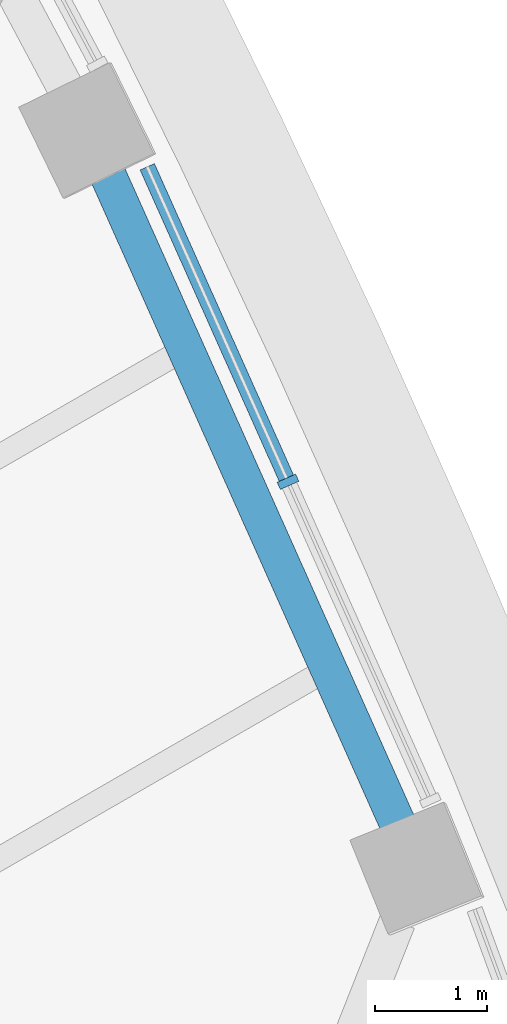
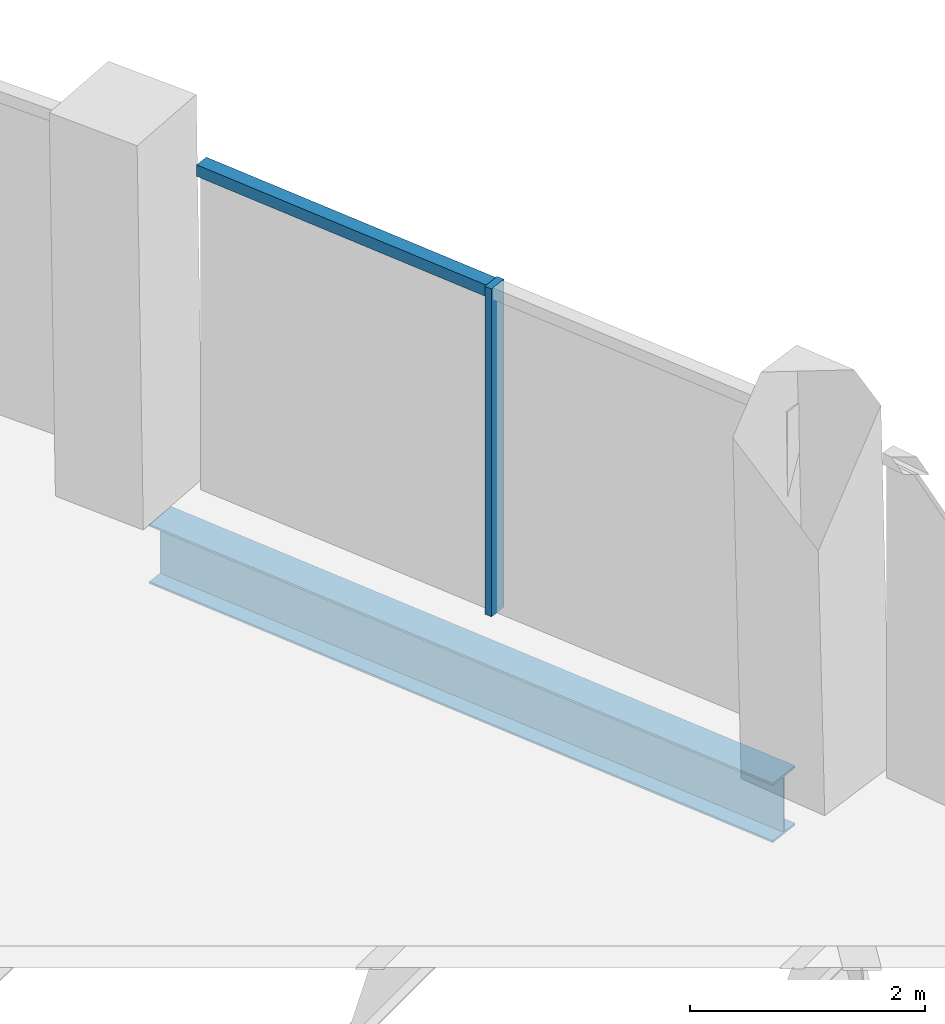
# One storey, part 5 of 18: 2 members, 1 beam, 1 element without a shape of its own.
"""IFC4 building model written with IfcOpenShell, lengths in metres."""

from ifc_helpers import new_model, si_unit, direction, frame, origin, origin_2d, place, context, subcontext, project, spatial, rectangle, i_section, extrude, material, layer, layer_set, material_profile, profile_set, type_object, element, aggregate, save


model = new_model("IFC4")

# Units and contexts
model_context = context("Model", 3, precision=1e-05, world=origin(), true_north=direction((0.0, 1.0)))
body_context = subcontext(model_context, "Body", "Model", "MODEL_VIEW")
ifc_project = project(units=[si_unit("LENGTHUNIT", "METRE"), si_unit("AREAUNIT", "SQUARE_METRE"), si_unit("VOLUMEUNIT", "CUBIC_METRE"), si_unit("PLANEANGLEUNIT", "RADIAN"), si_unit("MASSUNIT", "GRAM", prefix="KILO")], contexts=[model_context])

# Site, building, storey
site_placement = place(None, origin())
site = spatial("IfcSite", under=ifc_project, at=site_placement, CompositionType="ELEMENT")
building_placement = place(site_placement, origin())
building = spatial("IfcBuilding", under=site, at=building_placement, Name="Sierra Prisma Convention Tower", CompositionType="ELEMENT")
storey_placement = place(building_placement, frame((0.0, 0.0, 307.0)))
storey = spatial("IfcBuildingStorey", under=building, at=storey_placement, Name="L70", CompositionType="ELEMENT", Elevation=307.0)

# Curtain wall, members
ifc_material_1 = material(Name="Aluminium and glass curtain wall", Category="aluminium")
ifc_layer = layer(ifc_material_1, 0.179931640625)
ifc_layer_set = layer_set([ifc_layer], Name="CW-1 Plain shaft curtain wall")
curtain_wall_type = type_object("IfcCurtainWallType", Name="CW-1 Plain shaft curtain wall", PredefinedType="NOTDEFINED", material=ifc_layer_set)
curtain_wall_placement = place(storey_placement, origin())
curtain_wall = element("IfcCurtainWall", 1, at=curtain_wall_placement, inside=storey, type_object=curtain_wall_type, Name="CW-1 NE2 L70", PredefinedType="NOTDEFINED")
ifc_material_2 = material(Name="Aluminium 6063-T6 bronze anodised", Category="aluminium")
ifc_material_profile_1 = material_profile(ifc_material_2, rectangle(XDim=0.179931640625, YDim=0.070068359375, at=origin_2d()), Name="ALU MULLION 70x180")
ifc_profile_set_1 = profile_set([ifc_material_profile_1], Name="Aluminium 6063-T6 bronze anodised")
member_type_1 = type_object("IfcMemberType", Name="CW mullion bronze", PredefinedType="MULLION", material=ifc_profile_set_1)
member_1_placement = place(storey_placement, frame((22.461669921875, 0.503173828125, 0.0), z_axis=(0.0, 0.0, 1.0), x_axis=(-0.913045476115, -0.407857767545, 0.0)))
member_1 = element("IfcMember", 2, at=member_1_placement, type_object=member_type_1, Name="CW-1 mullion NE2.2", PredefinedType="MULLION", context=body_context, shape_type="SweptSolid", body=[
    extrude(rectangle(XDim=0.179931640625, YDim=0.070068359375, at=origin_2d()), origin(), (0.0, 0.0, 1.0), 3.39990234375),
])
ifc_material_3 = material(Name="Aluminium 6063-T6 bronze anodised", Category="aluminium")
ifc_material_profile_2 = material_profile(ifc_material_3, rectangle(XDim=0.139892578125, YDim=0.1201171875, at=origin_2d()), Name="ALU TRANSOM 120x140")
ifc_profile_set_2 = profile_set([ifc_material_profile_2], Name="Aluminium 6063-T6 bronze anodised")
member_type_2 = type_object("IfcMemberType", Name="CW transom bronze", PredefinedType="USERDEFINED", material=ifc_profile_set_2)
member_2_placement = place(storey_placement, frame((22.447265625, 0.53515625, 3.340087890625), z_axis=(-0.407845951878, 0.913050754086, 0.0), x_axis=(-0.913050754086, -0.407845951878, 0.0)))
member_2 = element("IfcMember", 3, at=member_2_placement, type_object=member_type_2, Name="CW-1 transom NE2.2", ObjectType="TRANSOM", PredefinedType="USERDEFINED", context=body_context, shape_type="SweptSolid", body=[
    extrude(rectangle(XDim=0.139892578125, YDim=0.1201171875, at=origin_2d()), origin(), (0.0, 0.0, 1.0), 3.036865234375),
])
aggregate(curtain_wall, [member_1, member_2])

# Beam
ifc_material_4 = material(Name="Steel ASTM A992 Gr 50", Category="steel")
ifc_material_profile_3 = material_profile(ifc_material_4, i_section(OverallWidth=0.324951171875, OverallDepth=0.615966796875, WebThickness=0.013916015625, FlangeThickness=0.021484375, at=origin_2d()), Name="W610x174")
ifc_profile_set_3 = profile_set([ifc_material_profile_3], Name="Steel ASTM A992 Gr 50")
beam_type = type_object("IfcBeamType", Name="Spandrel beam W610x174", PredefinedType="BEAM", material=ifc_profile_set_3)
beam_placement = place(storey_placement, frame((23.4853515625, -2.645751953125, -0.4580078125), z_axis=(-0.407889759228, 0.913031184745, 0.0), x_axis=(-0.913031184745, -0.407889759228, 0.0)))
element("IfcBeam", 4, at=beam_placement, inside=storey, type_object=beam_type, Name="Spandrel L70-08", PredefinedType="BEAM", context=body_context, shape_type="SweptSolid", body=[
    extrude(i_section(OverallWidth=0.324951171875, OverallDepth=0.615966796875, WebThickness=0.013916015625, FlangeThickness=0.021484375, at=origin_2d()), origin(), (0.0, 0.0, 1.0), 6.5419921875),
])

save(model, "model.ifc")
